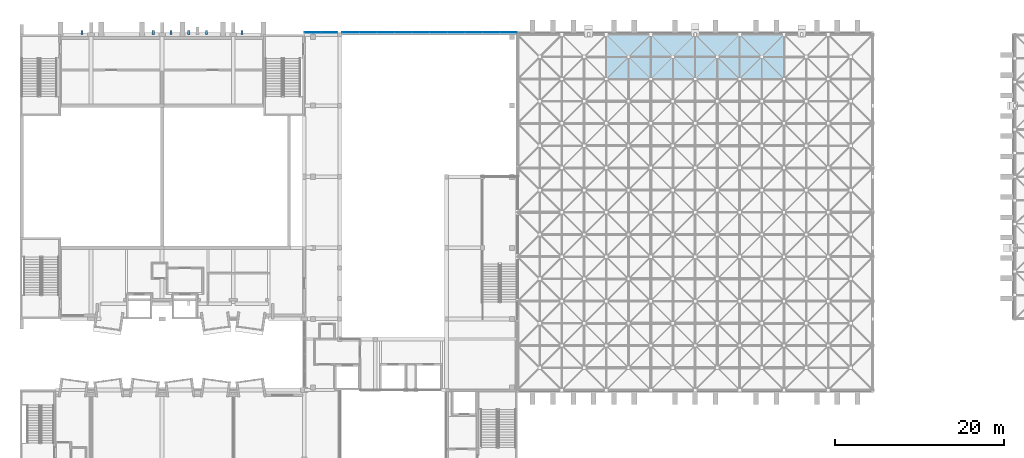
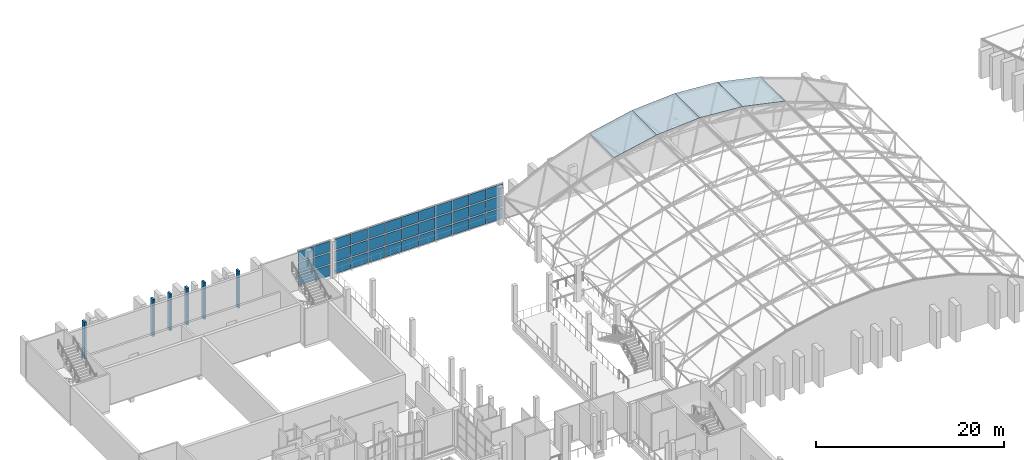
# One storey, part 54 of 100: 46 plates, 2 elements without a shape of their own.
"""IFC4 building model written with IfcOpenShell, lengths in metres."""

import ifcopenshell
import ifcopenshell.guid

model = None  # the IFC model being written
_history = None  # IfcOwnerHistory: only IFC2X3 demands one
_inside = {}  # id of a spatial element -> (the spatial element, [elements in it])
_under = {}  # id of a project, library or spatial element -> (it, [spatial elements below it])
_declared = {}  # id of a project -> (the project, [libraries it declares])
_typed = {}  # id of a type object -> (the type object, [elements of that type])
_made_of = {}  # id of a material, layer set ... -> (it, [elements and type objects made of it])


def new_model(schema):
    """Start an empty IFC model of exactly this schema.

    Asked for "IFC4X3", IfcOpenShell would pick the latest addendum, in which some entities
    have other attributes; the version numbers below select the first issue.
    IFC2X3 requires an IfcOwnerHistory on every rooted entity: one is made here for all.
    """
    global model, _history
    if schema == "IFC4X3":
        model = ifcopenshell.file(schema_version=(4, 3, 0, 0))
    else:
        model = ifcopenshell.file(schema=schema)
    _inside.clear()
    _under.clear()
    _declared.clear()
    _typed.clear()
    _made_of.clear()
    _history = None
    if model.schema == "IFC2X3":
        org = make("IfcOrganization", Name="unknown")
        user = make(
            "IfcPersonAndOrganization",
            ThePerson=make("IfcPerson", FamilyName="unknown"),
            TheOrganization=org,
        )
        app = make(
            "IfcApplication",
            ApplicationDeveloper=org,
            Version="unknown",
            ApplicationFullName="unknown",
            ApplicationIdentifier="unknown",
        )
        _history = make(
            "IfcOwnerHistory",
            OwningUser=user,
            OwningApplication=app,
            ChangeAction="ADDED",
            CreationDate=0,
        )
    return model


def make(cls, **values):
    """One entity of the class cls with the attributes given. An attribute that is None is left unset."""
    return model.create_entity(
        cls, **{name: value for name, value in values.items() if value is not None}
    )


def rooted(cls, **values):
    """An entity with a GlobalId (a new one), such as an element, a storey or a relation."""
    return make(cls, GlobalId=ifcopenshell.guid.new(), OwnerHistory=_history, **values)


def si_unit(unit_type, name, prefix=None):
    """IfcSIUnit, for example si_unit("LENGTHUNIT", "METRE", prefix="MILLI")."""
    return make("IfcSIUnit", UnitType=unit_type, Prefix=prefix, Name=name)


def assignment(units):
    """IfcUnitAssignment: the units of a project."""
    return None if units is None else make("IfcUnitAssignment", Units=units)


def point(xyz):
    """IfcCartesianPoint."""
    return None if xyz is None else make("IfcCartesianPoint", Coordinates=xyz)


def direction(xyz):
    """IfcDirection."""
    return None if xyz is None else make("IfcDirection", DirectionRatios=xyz)


def frame(location, z_axis=None, x_axis=None):
    """IfcAxis2Placement3D, a coordinate frame: its origin and axes. An axis left out is left unset."""
    return make(
        "IfcAxis2Placement3D",
        Location=point(location),
        Axis=direction(z_axis),
        RefDirection=direction(x_axis),
    )


def frame_2d(location, x_axis=None):
    """IfcAxis2Placement2D, a coordinate frame in the plane: its origin and x axis."""
    return make(
        "IfcAxis2Placement2D", Location=point(location), RefDirection=direction(x_axis)
    )


def origin():
    """The frame at (0, 0, 0) with its axes left unset."""
    return frame((0.0, 0.0, 0.0))


def origin_2d():
    """The frame at (0, 0) in the plane with its x axis left unset."""
    return frame_2d((0.0, 0.0))


def place(relative_to, where):
    """IfcLocalPlacement: puts the frame where relative to a parent placement (None: the world)."""
    return make(
        "IfcLocalPlacement", PlacementRelTo=relative_to, RelativePlacement=where
    )


def context(
    kind, dimensions, precision=None, world=None, true_north=None, identifier=None
):
    """IfcGeometricRepresentationContext, for example the 3D "Model" context."""
    return make(
        "IfcGeometricRepresentationContext",
        ContextIdentifier=identifier,
        ContextType=kind,
        CoordinateSpaceDimension=dimensions,
        Precision=precision,
        WorldCoordinateSystem=world,
        TrueNorth=true_north,
    )


def subcontext(parent, identifier, kind, view, scale=None):
    """IfcGeometricRepresentationSubContext, for example "Body" below "Model"."""
    return make(
        "IfcGeometricRepresentationSubContext",
        ContextIdentifier=identifier,
        ContextType=kind,
        ParentContext=parent,
        TargetScale=scale,
        TargetView=view,
    )


def project(units=None, contexts=None):
    """IfcProject with its units and contexts."""
    return rooted(
        "IfcProject",
        Name="project",
        RepresentationContexts=contexts,
        UnitsInContext=assignment(units),
    )


def spatial(cls, under=None, at=None, **own):
    """A site, building, storey or space (cls), placed at a placement, below another one or the project."""
    s = rooted(cls, ObjectPlacement=at, **own)
    if under is not None:
        _under.setdefault(under.id(), (under, []))[1].append(s)
    return s


def polyline(points):
    """IfcPolyline through the points."""
    return make("IfcPolyline", Points=[point(p) for p in points])


def profile(cls, at=None, kind="AREA", **sizes):
    """A parametric profile (cls). Its sizes go by their IFC names, for example OverallWidth=200.0."""
    return make(cls, ProfileType=kind, Position=at, **sizes)


def rectangle(**sizes):
    """IfcRectangleProfileDef."""
    return profile("IfcRectangleProfileDef", **sizes)


def outline(outer, holes=None, kind="AREA"):
    """IfcArbitraryClosedProfileDef: a profile drawn as a closed curve; with holes, ...WithVoids."""
    if holes is None:
        return make("IfcArbitraryClosedProfileDef", ProfileType=kind, OuterCurve=outer)
    return make(
        "IfcArbitraryProfileDefWithVoids",
        ProfileType=kind,
        OuterCurve=outer,
        InnerCurves=holes,
    )


def extrude(swept, where, along, depth):
    """IfcExtrudedAreaSolid: the profile swept, set in the frame where, extruded along a direction by depth."""
    return make(
        "IfcExtrudedAreaSolid",
        SweptArea=swept,
        Position=where,
        ExtrudedDirection=direction(along),
        Depth=depth,
    )


def shape(context_of_items, identifier, shape_type, items):
    """IfcShapeRepresentation: the items that make up one representation, for example the "Body"."""
    return make(
        "IfcShapeRepresentation",
        ContextOfItems=context_of_items,
        RepresentationIdentifier=identifier,
        RepresentationType=shape_type,
        Items=items,
    )


def material(Name=None, Category=None):
    """IfcMaterial."""
    return make("IfcMaterial", Name=Name, Category=Category)


def layer(
    of_material, thickness, ventilated=None, Name=None, Category=None, Priority=None
):
    """IfcMaterialLayer: one layer of a wall or slab, of a material (None: an air gap)."""
    return make(
        "IfcMaterialLayer",
        Material=of_material,
        LayerThickness=thickness,
        IsVentilated=ventilated,
        Name=Name,
        Category=Category,
        Priority=Priority,
    )


def layer_set(layers, Name=None):
    """IfcMaterialLayerSet."""
    return make("IfcMaterialLayerSet", MaterialLayers=layers, LayerSetName=Name)


def made_of(thing, what):
    """Note that an element or type object is made of a material, layer set ...; save() writes the relation."""
    if what is not None:
        _made_of.setdefault(what.id(), (what, []))[1].append(thing)
    return thing


def type_object(cls, material=None, **own):
    """A type object (cls), such as IfcWallType, which elements share."""
    return made_of(rooted(cls, **own), material)


def element(
    cls,
    number,
    at=None,
    inside=None,
    cuts=None,
    type_object=None,
    material=None,
    context=None,
    identifier="Body",
    shape_type=None,
    held_by="IfcProductDefinitionShape",
    body=None,
    shapes=None,
    **own,
):
    """One element of the class cls, such as IfcWall. Its Tag is "e" and its number.

    at: its placement. inside: the storey or other place that contains it. cuts: it is an
    opening in that element (IfcRelVoidsElement). A single representation is given by context,
    identifier, shape_type and body (its items); several are given by shapes. held_by: the class
    of the entity that holds the representations. save() writes the other relations.
    """
    e = rooted(cls, Tag="e%d" % number, ObjectPlacement=at, **own)
    if body is not None:
        shapes = [shape(context, identifier, shape_type, body)]
    if shapes is not None:
        e.Representation = make(held_by, Representations=shapes)
    if inside is not None:
        _inside.setdefault(inside.id(), (inside, []))[1].append(e)
    if cuts is not None:
        rooted(
            "IfcRelVoidsElement", RelatingBuildingElement=cuts, RelatedOpeningElement=e
        )
    if type_object is not None:
        _typed.setdefault(type_object.id(), (type_object, []))[1].append(e)
    return made_of(e, material)


def aggregate(whole, parts):
    """IfcRelAggregates: a whole, such as a stair, and the parts it consists of."""
    return rooted("IfcRelAggregates", RelatingObject=whole, RelatedObjects=parts)


def save(model, path):
    """Write the relations noted so far, then the file.

    IfcRelAggregates (storeys below a building ...), IfcRelContainedInSpatialStructure (elements
    in a storey), IfcRelDefinesByType, IfcRelAssociatesMaterial and IfcRelDeclares: one each for
    every whole, place, type object, material and project.
    """
    for whole, parts in _under.values():
        aggregate(whole, parts)
    for where, things in _inside.values():
        rooted(
            "IfcRelContainedInSpatialStructure",
            RelatedElements=things,
            RelatingStructure=where,
        )
    for kind, things in _typed.values():
        rooted("IfcRelDefinesByType", RelatedObjects=things, RelatingType=kind)
    for what, things in _made_of.values():
        rooted("IfcRelAssociatesMaterial", RelatedObjects=things, RelatingMaterial=what)
    for by, libraries in _declared.values():
        rooted("IfcRelDeclares", RelatingContext=by, RelatedDefinitions=libraries)
    model.write(path)


model = new_model("IFC4")

# Units and contexts
model_context = context("Model", 3, precision=1e-05, world=origin(), true_north=direction((0.0, 1.0)))
body_context = subcontext(model_context, "Body", "Model", "MODEL_VIEW")
ifc_project = project(units=[si_unit("LENGTHUNIT", "METRE"), si_unit("AREAUNIT", "SQUARE_METRE"), si_unit("VOLUMEUNIT", "CUBIC_METRE"), si_unit("PLANEANGLEUNIT", "RADIAN"), si_unit("MASSUNIT", "GRAM", prefix="KILO")], contexts=[model_context])

# Site, building, storey
site_placement = place(None, origin())
site = spatial("IfcSite", under=ifc_project, at=site_placement, CompositionType="ELEMENT")
building_placement = place(site_placement, origin())
building = spatial("IfcBuilding", under=site, at=building_placement, Name="Kiln Court Media Centre", CompositionType="ELEMENT")
storey_placement = place(building_placement, frame((0.0, 0.0, 15.0)))
storey = spatial("IfcBuildingStorey", under=building, at=storey_placement, Name="L03", CompositionType="ELEMENT", Elevation=15.0)

# Plates
ifc_material_1 = material(Name="Concrete C40/50", Category="concrete")
ifc_layer_1 = layer(ifc_material_1, 0.25)
ifc_layer_set_1 = layer_set([ifc_layer_1], Name="Concrete C40/50 shading fin 250")
plate_type_1 = type_object("IfcPlateType", Name="Concrete C40/50 shading fin 250", PredefinedType="SHEET", material=ifc_layer_set_1)
for number, where, z_axis, x_axis, name in (
    (1, (7.35009765625, 67.449951171875, 0.0), (0.0, 0.0, 1.0), (1.0, 0.0, 0.0), "V4 N fin L03"),
    (2, (15.75, 67.449951171875, 0.0), (0.0, 0.0, 1.0), (1.0, 0.0, 0.0), "V4 N fin L03"),
    (3, (17.85009765625, 67.449951171875, 0.0), (0.0, 0.0, 1.0), (1.0, 0.0, 0.0), "V4 N fin L03"),
    (4, (19.949951171875, 67.449951171875, 0.0), (0.0, 0.0, 1.0), (1.0, 0.0, 0.0), "V4 N fin L03"),
    (5, (22.050048828125, 67.449951171875, 0.0), (0.0, 0.0, 1.0), (1.0, 0.0, 0.0), "V4 N fin L03"),
    (6, (26.25, 67.449951171875, 0.0), (0.0, 0.0, 1.0), (1.0, 0.0, 0.0), "V4 N fin L03"),
):
    element("IfcPlate", number, at=place(storey_placement, frame(where, z_axis=z_axis, x_axis=x_axis)), inside=storey, type_object=plate_type_1, Name=name, PredefinedType="SHEET", context=body_context, shape_type="SweptSolid", body=[
        extrude(rectangle(XDim=0.25, YDim=0.5, at=origin_2d()), origin(), (0.0, 0.0, 1.0), 4.800048828125),
    ])
ifc_material_2 = material(Name="Laminated glass", Category="glass")
ifc_layer_2 = layer(ifc_material_2, 0.0439453125)
ifc_layer_set_2 = layer_set([ifc_layer_2], Name="Laminated glass rooflight 44")
plate_type_2 = type_object("IfcPlateType", Name="Laminated glass rooflight 44", PredefinedType="USERDEFINED", material=ifc_layer_set_2)
plate_1_placement = place(storey_placement, frame((69.300048828125, 61.949951171875, 7.669921875), z_axis=(-0.209529088731, 0.0, 0.977802414077), x_axis=(0.977802414077, 0.0, 0.209529088731)))
element("IfcPlate", 7, at=plate_1_placement, inside=storey, type_object=plate_type_2, Name="V1 rooflight 3.8", ObjectType="ROOFLIGHT GLAZING", PredefinedType="USERDEFINED", context=body_context, shape_type="SweptSolid", body=[
    extrude(outline(polyline([(0.0, 0.0), (5.369182898728632, 0.0), (5.369182898728632, 5.25), (0.0, 5.25), (0.0, 0.0)])), origin(), (0.0, 0.0, -1.0), 0.0439453125),
])
for number, where, z_axis, x_axis, name in (
    (8, (74.550048828125, 61.949951171875, 8.791748046875), (-0.071247049988, 0.0, 0.997458699831), (0.997458699831, 0.0, 0.071247049988), "V1 rooflight 4.8"),
    (9, (79.800048828125, 61.949951171875, 9.166748046875), (0.071247049988, 0.0, 0.997458699831), (0.997458699831, 0.0, -0.071247049988), "V1 rooflight 5.8"),
):
    element("IfcPlate", number, at=place(storey_placement, frame(where, z_axis=z_axis, x_axis=x_axis)), inside=storey, type_object=plate_type_2, Name=name, ObjectType="ROOFLIGHT GLAZING", PredefinedType="USERDEFINED", context=body_context, shape_type="SweptSolid", body=[
        extrude(outline(polyline([(0.0, 0.0), (5.263375817856825, 0.0), (5.263375817856825, 5.25), (0.0, 5.25), (0.0, 0.0)])), origin(), (0.0, 0.0, -1.0), 0.0439453125),
    ])
plate_2_placement = place(storey_placement, frame((85.050048828125, 61.949951171875, 8.794921875), z_axis=(0.209529088731, 0.0, 0.977802414077), x_axis=(0.977802414077, 0.0, -0.209529088731)))
element("IfcPlate", 10, at=plate_2_placement, inside=storey, type_object=plate_type_2, Name="V1 rooflight 6.8", ObjectType="ROOFLIGHT GLAZING", PredefinedType="USERDEFINED", context=body_context, shape_type="SweptSolid", body=[
    extrude(outline(polyline([(0.0, 0.0), (5.369182898728632, 0.0), (5.369182898728632, 5.25), (0.0, 5.25), (0.0, 0.0)])), origin(), (0.0, 0.0, -1.0), 0.0439453125),
])

# Curtain wall, plates
ifc_material_3 = material(Name="Aluminium 6063-T6", Category="aluminium")
ifc_layer_3 = layer(ifc_material_3, 0.1201171875)
ifc_layer_set_3 = layer_set([ifc_layer_3], Name="Aluminium stick curtain wall, foyer")
curtain_wall_type = type_object("IfcCurtainWallType", Name="Aluminium stick curtain wall, foyer", PredefinedType="USERDEFINED", material=ifc_layer_set_3)
curtain_wall_1_placement = place(storey_placement, origin())
curtain_wall_1 = element("IfcCurtainWall", 11, at=curtain_wall_1_placement, inside=storey, type_object=curtain_wall_type, Name="Foyer north glazing L03", ObjectType="STICK CURTAIN WALL", PredefinedType="USERDEFINED")
ifc_material_4 = material(Name="Laminated low-E glazing", Category="glass")
ifc_layer_4 = layer(ifc_material_4, 0.035888671875)
ifc_layer_set_4 = layer_set([ifc_layer_4], Name="Laminated low-E glazed panel 36")
plate_type_3 = type_object("IfcPlateType", Name="Laminated low-E glazed panel 36", PredefinedType="CURTAIN_PANEL", material=ifc_layer_set_4)
plate_3_placement = place(storey_placement, frame((34.6025390625, 67.444580078125, 0.14990234375), z_axis=(0.0, 0.0, 1.0), x_axis=(1.0, 0.0, 0.0)))
plate_3 = element("IfcPlate", 12, at=plate_3_placement, type_object=plate_type_3, Name="CW3-60 panel 1.1", PredefinedType="CURTAIN_PANEL", context=body_context, shape_type="SweptSolid", body=[
    extrude(rectangle(XDim=1.885009765625, YDim=0.035888671875, at=origin_2d()), origin(), (0.0, 0.0, 1.0), 1.375),
])
plate_4_placement = place(storey_placement, frame((34.6025390625, 67.444580078125, 1.6748046875), z_axis=(0.0, 0.0, 1.0), x_axis=(1.0, 0.0, 0.0)))
plate_4 = element("IfcPlate", 13, at=plate_4_placement, type_object=plate_type_3, Name="CW3-60 panel 1.2", PredefinedType="CURTAIN_PANEL", context=body_context, shape_type="SweptSolid", body=[
    extrude(rectangle(XDim=1.885009765625, YDim=0.035888671875, at=origin_2d()), origin(), (0.0, 0.0, 1.0), 1.449951171875),
])
plate_5_placement = place(storey_placement, frame((34.6025390625, 67.444580078125, 3.27490234375), z_axis=(0.0, 0.0, 1.0), x_axis=(1.0, 0.0, 0.0)))
plate_5 = element("IfcPlate", 14, at=plate_5_placement, type_object=plate_type_3, Name="CW3-60 panel 1.3", PredefinedType="CURTAIN_PANEL", context=body_context, shape_type="SweptSolid", body=[
    extrude(rectangle(XDim=1.885009765625, YDim=0.035888671875, at=origin_2d()), origin(), (0.0, 0.0, 1.0), 1.375),
])
plate_6_placement = place(storey_placement, frame((36.547607421875, 67.444580078125, 0.14990234375), z_axis=(0.0, 0.0, 1.0), x_axis=(1.0, 0.0, 0.0)))
plate_6 = element("IfcPlate", 15, at=plate_6_placement, type_object=plate_type_3, Name="CW3-60 panel 2.1", PredefinedType="CURTAIN_PANEL", context=body_context, shape_type="SweptSolid", body=[
    extrude(rectangle(XDim=1.885009765625, YDim=0.035888671875, at=origin_2d()), origin(), (0.0, 0.0, 1.0), 1.375),
])
plate_7_placement = place(storey_placement, frame((36.547607421875, 67.444580078125, 1.6748046875), z_axis=(0.0, 0.0, 1.0), x_axis=(1.0, 0.0, 0.0)))
plate_7 = element("IfcPlate", 16, at=plate_7_placement, type_object=plate_type_3, Name="CW3-60 panel 2.2", PredefinedType="CURTAIN_PANEL", context=body_context, shape_type="SweptSolid", body=[
    extrude(rectangle(XDim=1.885009765625, YDim=0.035888671875, at=origin_2d()), origin(), (0.0, 0.0, 1.0), 1.449951171875),
])
plate_8_placement = place(storey_placement, frame((36.547607421875, 67.444580078125, 3.27490234375), z_axis=(0.0, 0.0, 1.0), x_axis=(1.0, 0.0, 0.0)))
plate_8 = element("IfcPlate", 17, at=plate_8_placement, type_object=plate_type_3, Name="CW3-60 panel 2.3", PredefinedType="CURTAIN_PANEL", context=body_context, shape_type="SweptSolid", body=[
    extrude(rectangle(XDim=1.885009765625, YDim=0.035888671875, at=origin_2d()), origin(), (0.0, 0.0, 1.0), 1.375),
])
aggregate(curtain_wall_1, [plate_3, plate_4, plate_5, plate_6, plate_7, plate_8])

curtain_wall_2_placement = place(storey_placement, origin())
curtain_wall_2 = element("IfcCurtainWall", 18, at=curtain_wall_2_placement, inside=storey, type_object=curtain_wall_type, Name="Foyer north glazing L03", ObjectType="STICK CURTAIN WALL", PredefinedType="USERDEFINED")
plate_9_placement = place(storey_placement, frame((39.1025390625, 67.444580078125, 0.14990234375), z_axis=(0.0, 0.0, 1.0), x_axis=(1.0, 0.0, 0.0)))
plate_9 = element("IfcPlate", 19, at=plate_9_placement, type_object=plate_type_3, Name="CW3-61 panel 1.1", PredefinedType="CURTAIN_PANEL", context=body_context, shape_type="SweptSolid", body=[
    extrude(rectangle(XDim=1.985107421875, YDim=0.035888671875, at=origin_2d()), origin(), (0.0, 0.0, 1.0), 1.375),
])
plate_10_placement = place(storey_placement, frame((39.1025390625, 67.444580078125, 1.6748046875), z_axis=(0.0, 0.0, 1.0), x_axis=(1.0, 0.0, 0.0)))
plate_10 = element("IfcPlate", 20, at=plate_10_placement, type_object=plate_type_3, Name="CW3-61 panel 1.2", PredefinedType="CURTAIN_PANEL", context=body_context, shape_type="SweptSolid", body=[
    extrude(rectangle(XDim=1.985107421875, YDim=0.035888671875, at=origin_2d()), origin(), (0.0, 0.0, 1.0), 1.449951171875),
])
plate_11_placement = place(storey_placement, frame((39.1025390625, 67.444580078125, 3.27490234375), z_axis=(0.0, 0.0, 1.0), x_axis=(1.0, 0.0, 0.0)))
plate_11 = element("IfcPlate", 21, at=plate_11_placement, type_object=plate_type_3, Name="CW3-61 panel 1.3", PredefinedType="CURTAIN_PANEL", context=body_context, shape_type="SweptSolid", body=[
    extrude(rectangle(XDim=1.985107421875, YDim=0.035888671875, at=origin_2d()), origin(), (0.0, 0.0, 1.0), 1.375),
])
plate_12_placement = place(storey_placement, frame((41.16259765625, 67.444580078125, 0.14990234375), z_axis=(0.0, 0.0, 1.0), x_axis=(1.0, 0.0, 0.0)))
plate_12 = element("IfcPlate", 22, at=plate_12_placement, type_object=plate_type_3, Name="CW3-61 panel 2.1", PredefinedType="CURTAIN_PANEL", context=body_context, shape_type="SweptSolid", body=[
    extrude(rectangle(XDim=2.014892578125, YDim=0.035888671875, at=origin_2d()), origin(), (0.0, 0.0, 1.0), 1.375),
])
plate_13_placement = place(storey_placement, frame((41.16259765625, 67.444580078125, 1.6748046875), z_axis=(0.0, 0.0, 1.0), x_axis=(1.0, 0.0, 0.0)))
plate_13 = element("IfcPlate", 23, at=plate_13_placement, type_object=plate_type_3, Name="CW3-61 panel 2.2", PredefinedType="CURTAIN_PANEL", context=body_context, shape_type="SweptSolid", body=[
    extrude(rectangle(XDim=2.014892578125, YDim=0.035888671875, at=origin_2d()), origin(), (0.0, 0.0, 1.0), 1.449951171875),
])
plate_14_placement = place(storey_placement, frame((41.16259765625, 67.444580078125, 3.27490234375), z_axis=(0.0, 0.0, 1.0), x_axis=(1.0, 0.0, 0.0)))
plate_14 = element("IfcPlate", 24, at=plate_14_placement, type_object=plate_type_3, Name="CW3-61 panel 2.3", PredefinedType="CURTAIN_PANEL", context=body_context, shape_type="SweptSolid", body=[
    extrude(rectangle(XDim=2.014892578125, YDim=0.035888671875, at=origin_2d()), origin(), (0.0, 0.0, 1.0), 1.375),
])
plate_15_placement = place(storey_placement, frame((43.237548828125, 67.444580078125, 0.14990234375), z_axis=(0.0, 0.0, 1.0), x_axis=(1.0, 0.0, 0.0)))
plate_15 = element("IfcPlate", 25, at=plate_15_placement, type_object=plate_type_3, Name="CW3-61 panel 3.1", PredefinedType="CURTAIN_PANEL", context=body_context, shape_type="SweptSolid", body=[
    extrude(rectangle(XDim=2.014892578125, YDim=0.035888671875, at=origin_2d()), origin(), (0.0, 0.0, 1.0), 1.375),
])
plate_16_placement = place(storey_placement, frame((43.237548828125, 67.444580078125, 1.6748046875), z_axis=(0.0, 0.0, 1.0), x_axis=(1.0, 0.0, 0.0)))
plate_16 = element("IfcPlate", 26, at=plate_16_placement, type_object=plate_type_3, Name="CW3-61 panel 3.2", PredefinedType="CURTAIN_PANEL", context=body_context, shape_type="SweptSolid", body=[
    extrude(rectangle(XDim=2.014892578125, YDim=0.035888671875, at=origin_2d()), origin(), (0.0, 0.0, 1.0), 1.449951171875),
])
plate_17_placement = place(storey_placement, frame((43.237548828125, 67.444580078125, 3.27490234375), z_axis=(0.0, 0.0, 1.0), x_axis=(1.0, 0.0, 0.0)))
plate_17 = element("IfcPlate", 27, at=plate_17_placement, type_object=plate_type_3, Name="CW3-61 panel 3.3", PredefinedType="CURTAIN_PANEL", context=body_context, shape_type="SweptSolid", body=[
    extrude(rectangle(XDim=2.014892578125, YDim=0.035888671875, at=origin_2d()), origin(), (0.0, 0.0, 1.0), 1.375),
])
plate_18_placement = place(storey_placement, frame((45.3125, 67.444580078125, 0.14990234375), z_axis=(0.0, 0.0, 1.0), x_axis=(1.0, 0.0, 0.0)))
plate_18 = element("IfcPlate", 28, at=plate_18_placement, type_object=plate_type_3, Name="CW3-61 panel 4.1", PredefinedType="CURTAIN_PANEL", context=body_context, shape_type="SweptSolid", body=[
    extrude(rectangle(XDim=2.014892578125, YDim=0.035888671875, at=origin_2d()), origin(), (0.0, 0.0, 1.0), 1.375),
])
plate_19_placement = place(storey_placement, frame((45.3125, 67.444580078125, 1.6748046875), z_axis=(0.0, 0.0, 1.0), x_axis=(1.0, 0.0, 0.0)))
plate_19 = element("IfcPlate", 29, at=plate_19_placement, type_object=plate_type_3, Name="CW3-61 panel 4.2", PredefinedType="CURTAIN_PANEL", context=body_context, shape_type="SweptSolid", body=[
    extrude(rectangle(XDim=2.014892578125, YDim=0.035888671875, at=origin_2d()), origin(), (0.0, 0.0, 1.0), 1.449951171875),
])
plate_20_placement = place(storey_placement, frame((45.3125, 67.444580078125, 3.27490234375), z_axis=(0.0, 0.0, 1.0), x_axis=(1.0, 0.0, 0.0)))
plate_20 = element("IfcPlate", 30, at=plate_20_placement, type_object=plate_type_3, Name="CW3-61 panel 4.3", PredefinedType="CURTAIN_PANEL", context=body_context, shape_type="SweptSolid", body=[
    extrude(rectangle(XDim=2.014892578125, YDim=0.035888671875, at=origin_2d()), origin(), (0.0, 0.0, 1.0), 1.375),
])
plate_21_placement = place(storey_placement, frame((47.387451171875, 67.444580078125, 0.14990234375), z_axis=(0.0, 0.0, 1.0), x_axis=(1.0, 0.0, 0.0)))
plate_21 = element("IfcPlate", 31, at=plate_21_placement, type_object=plate_type_3, Name="CW3-61 panel 5.1", PredefinedType="CURTAIN_PANEL", context=body_context, shape_type="SweptSolid", body=[
    extrude(rectangle(XDim=2.014892578125, YDim=0.035888671875, at=origin_2d()), origin(), (0.0, 0.0, 1.0), 1.375),
])
plate_22_placement = place(storey_placement, frame((47.387451171875, 67.444580078125, 1.6748046875), z_axis=(0.0, 0.0, 1.0), x_axis=(1.0, 0.0, 0.0)))
plate_22 = element("IfcPlate", 32, at=plate_22_placement, type_object=plate_type_3, Name="CW3-61 panel 5.2", PredefinedType="CURTAIN_PANEL", context=body_context, shape_type="SweptSolid", body=[
    extrude(rectangle(XDim=2.014892578125, YDim=0.035888671875, at=origin_2d()), origin(), (0.0, 0.0, 1.0), 1.449951171875),
])
plate_23_placement = place(storey_placement, frame((47.387451171875, 67.444580078125, 3.27490234375), z_axis=(0.0, 0.0, 1.0), x_axis=(1.0, 0.0, 0.0)))
plate_23 = element("IfcPlate", 33, at=plate_23_placement, type_object=plate_type_3, Name="CW3-61 panel 5.3", PredefinedType="CURTAIN_PANEL", context=body_context, shape_type="SweptSolid", body=[
    extrude(rectangle(XDim=2.014892578125, YDim=0.035888671875, at=origin_2d()), origin(), (0.0, 0.0, 1.0), 1.375),
])
plate_24_placement = place(storey_placement, frame((49.46240234375, 67.444580078125, 0.14990234375), z_axis=(0.0, 0.0, 1.0), x_axis=(1.0, 0.0, 0.0)))
plate_24 = element("IfcPlate", 34, at=plate_24_placement, type_object=plate_type_3, Name="CW3-61 panel 6.1", PredefinedType="CURTAIN_PANEL", context=body_context, shape_type="SweptSolid", body=[
    extrude(rectangle(XDim=2.014892578125, YDim=0.035888671875, at=origin_2d()), origin(), (0.0, 0.0, 1.0), 1.375),
])
plate_25_placement = place(storey_placement, frame((49.46240234375, 67.444580078125, 1.6748046875), z_axis=(0.0, 0.0, 1.0), x_axis=(1.0, 0.0, 0.0)))
plate_25 = element("IfcPlate", 35, at=plate_25_placement, type_object=plate_type_3, Name="CW3-61 panel 6.2", PredefinedType="CURTAIN_PANEL", context=body_context, shape_type="SweptSolid", body=[
    extrude(rectangle(XDim=2.014892578125, YDim=0.035888671875, at=origin_2d()), origin(), (0.0, 0.0, 1.0), 1.449951171875),
])
plate_26_placement = place(storey_placement, frame((49.46240234375, 67.444580078125, 3.27490234375), z_axis=(0.0, 0.0, 1.0), x_axis=(1.0, 0.0, 0.0)))
plate_26 = element("IfcPlate", 36, at=plate_26_placement, type_object=plate_type_3, Name="CW3-61 panel 6.3", PredefinedType="CURTAIN_PANEL", context=body_context, shape_type="SweptSolid", body=[
    extrude(rectangle(XDim=2.014892578125, YDim=0.035888671875, at=origin_2d()), origin(), (0.0, 0.0, 1.0), 1.375),
])
plate_27_placement = place(storey_placement, frame((51.53759765625, 67.444580078125, 0.14990234375), z_axis=(0.0, 0.0, 1.0), x_axis=(1.0, 0.0, 0.0)))
plate_27 = element("IfcPlate", 37, at=plate_27_placement, type_object=plate_type_3, Name="CW3-61 panel 7.1", PredefinedType="CURTAIN_PANEL", context=body_context, shape_type="SweptSolid", body=[
    extrude(rectangle(XDim=2.014892578125, YDim=0.035888671875, at=origin_2d()), origin(), (0.0, 0.0, 1.0), 1.375),
])
plate_28_placement = place(storey_placement, frame((51.53759765625, 67.444580078125, 1.6748046875), z_axis=(0.0, 0.0, 1.0), x_axis=(1.0, 0.0, 0.0)))
plate_28 = element("IfcPlate", 38, at=plate_28_placement, type_object=plate_type_3, Name="CW3-61 panel 7.2", PredefinedType="CURTAIN_PANEL", context=body_context, shape_type="SweptSolid", body=[
    extrude(rectangle(XDim=2.014892578125, YDim=0.035888671875, at=origin_2d()), origin(), (0.0, 0.0, 1.0), 1.449951171875),
])
plate_29_placement = place(storey_placement, frame((51.53759765625, 67.444580078125, 3.27490234375), z_axis=(0.0, 0.0, 1.0), x_axis=(1.0, 0.0, 0.0)))
plate_29 = element("IfcPlate", 39, at=plate_29_placement, type_object=plate_type_3, Name="CW3-61 panel 7.3", PredefinedType="CURTAIN_PANEL", context=body_context, shape_type="SweptSolid", body=[
    extrude(rectangle(XDim=2.014892578125, YDim=0.035888671875, at=origin_2d()), origin(), (0.0, 0.0, 1.0), 1.375),
])
plate_30_placement = place(storey_placement, frame((53.612548828125, 67.444580078125, 0.14990234375), z_axis=(0.0, 0.0, 1.0), x_axis=(1.0, 0.0, 0.0)))
plate_30 = element("IfcPlate", 40, at=plate_30_placement, type_object=plate_type_3, Name="CW3-61 panel 8.1", PredefinedType="CURTAIN_PANEL", context=body_context, shape_type="SweptSolid", body=[
    extrude(rectangle(XDim=2.014892578125, YDim=0.035888671875, at=origin_2d()), origin(), (0.0, 0.0, 1.0), 1.375),
])
plate_31_placement = place(storey_placement, frame((53.612548828125, 67.444580078125, 1.6748046875), z_axis=(0.0, 0.0, 1.0), x_axis=(1.0, 0.0, 0.0)))
plate_31 = element("IfcPlate", 41, at=plate_31_placement, type_object=plate_type_3, Name="CW3-61 panel 8.2", PredefinedType="CURTAIN_PANEL", context=body_context, shape_type="SweptSolid", body=[
    extrude(rectangle(XDim=2.014892578125, YDim=0.035888671875, at=origin_2d()), origin(), (0.0, 0.0, 1.0), 1.449951171875),
])
plate_32_placement = place(storey_placement, frame((53.612548828125, 67.444580078125, 3.27490234375), z_axis=(0.0, 0.0, 1.0), x_axis=(1.0, 0.0, 0.0)))
plate_32 = element("IfcPlate", 42, at=plate_32_placement, type_object=plate_type_3, Name="CW3-61 panel 8.3", PredefinedType="CURTAIN_PANEL", context=body_context, shape_type="SweptSolid", body=[
    extrude(rectangle(XDim=2.014892578125, YDim=0.035888671875, at=origin_2d()), origin(), (0.0, 0.0, 1.0), 1.375),
])
plate_33_placement = place(storey_placement, frame((55.6875, 67.444580078125, 0.14990234375), z_axis=(0.0, 0.0, 1.0), x_axis=(1.0, 0.0, 0.0)))
plate_33 = element("IfcPlate", 43, at=plate_33_placement, type_object=plate_type_3, Name="CW3-61 panel 9.1", PredefinedType="CURTAIN_PANEL", context=body_context, shape_type="SweptSolid", body=[
    extrude(rectangle(XDim=2.014892578125, YDim=0.035888671875, at=origin_2d()), origin(), (0.0, 0.0, 1.0), 1.375),
])
plate_34_placement = place(storey_placement, frame((55.6875, 67.444580078125, 1.6748046875), z_axis=(0.0, 0.0, 1.0), x_axis=(1.0, 0.0, 0.0)))
plate_34 = element("IfcPlate", 44, at=plate_34_placement, type_object=plate_type_3, Name="CW3-61 panel 9.2", PredefinedType="CURTAIN_PANEL", context=body_context, shape_type="SweptSolid", body=[
    extrude(rectangle(XDim=2.014892578125, YDim=0.035888671875, at=origin_2d()), origin(), (0.0, 0.0, 1.0), 1.449951171875),
])
plate_35_placement = place(storey_placement, frame((55.6875, 67.444580078125, 3.27490234375), z_axis=(0.0, 0.0, 1.0), x_axis=(1.0, 0.0, 0.0)))
plate_35 = element("IfcPlate", 45, at=plate_35_placement, type_object=plate_type_3, Name="CW3-61 panel 9.3", PredefinedType="CURTAIN_PANEL", context=body_context, shape_type="SweptSolid", body=[
    extrude(rectangle(XDim=2.014892578125, YDim=0.035888671875, at=origin_2d()), origin(), (0.0, 0.0, 1.0), 1.375),
])
plate_36_placement = place(storey_placement, frame((57.74755859375, 67.444580078125, 0.14990234375), z_axis=(0.0, 0.0, 1.0), x_axis=(1.0, 0.0, 0.0)))
plate_36 = element("IfcPlate", 46, at=plate_36_placement, type_object=plate_type_3, Name="CW3-61 panel 10.1", PredefinedType="CURTAIN_PANEL", context=body_context, shape_type="SweptSolid", body=[
    extrude(rectangle(XDim=1.985107421875, YDim=0.035888671875, at=origin_2d()), origin(), (0.0, 0.0, 1.0), 1.375),
])
plate_37_placement = place(storey_placement, frame((57.74755859375, 67.444580078125, 1.6748046875), z_axis=(0.0, 0.0, 1.0), x_axis=(1.0, 0.0, 0.0)))
plate_37 = element("IfcPlate", 47, at=plate_37_placement, type_object=plate_type_3, Name="CW3-61 panel 10.2", PredefinedType="CURTAIN_PANEL", context=body_context, shape_type="SweptSolid", body=[
    extrude(rectangle(XDim=1.985107421875, YDim=0.035888671875, at=origin_2d()), origin(), (0.0, 0.0, 1.0), 1.449951171875),
])
plate_38_placement = place(storey_placement, frame((57.74755859375, 67.444580078125, 3.27490234375), z_axis=(0.0, 0.0, 1.0), x_axis=(1.0, 0.0, 0.0)))
plate_38 = element("IfcPlate", 48, at=plate_38_placement, type_object=plate_type_3, Name="CW3-61 panel 10.3", PredefinedType="CURTAIN_PANEL", context=body_context, shape_type="SweptSolid", body=[
    extrude(rectangle(XDim=1.985107421875, YDim=0.035888671875, at=origin_2d()), origin(), (0.0, 0.0, 1.0), 1.375),
])
aggregate(curtain_wall_2, [plate_9, plate_10, plate_11, plate_12, plate_13, plate_14, plate_15, plate_16, plate_17, plate_18, plate_19, plate_20, plate_21, plate_22, plate_23, plate_24, plate_25, plate_26, plate_27, plate_28, plate_29, plate_30, plate_31, plate_32, plate_33, plate_34, plate_35, plate_36, plate_37, plate_38])

save(model, "model.ifc")
